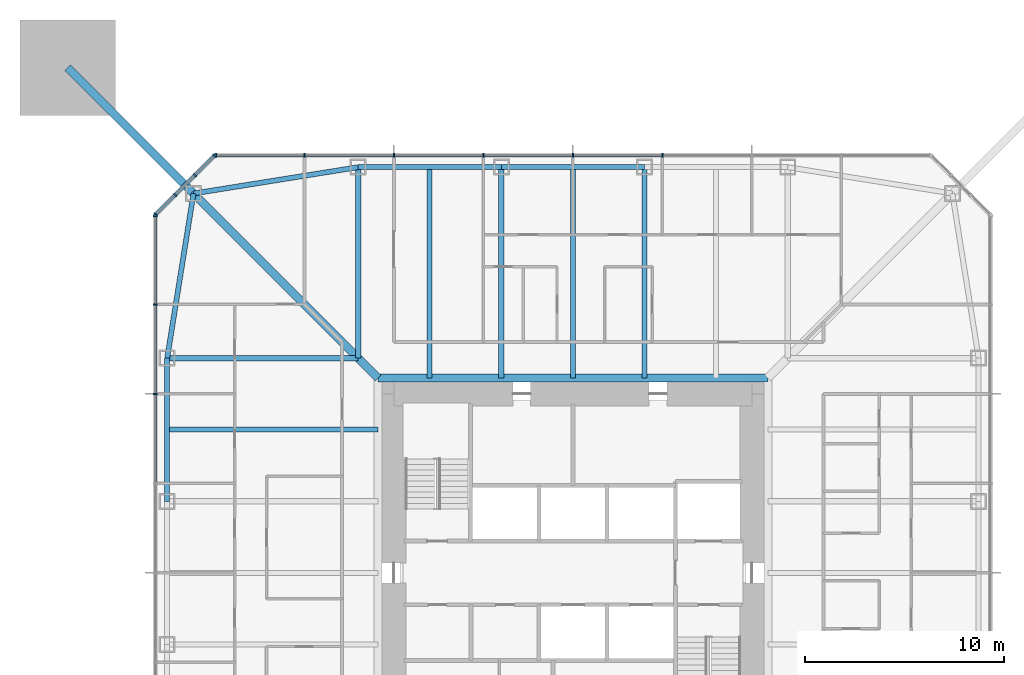
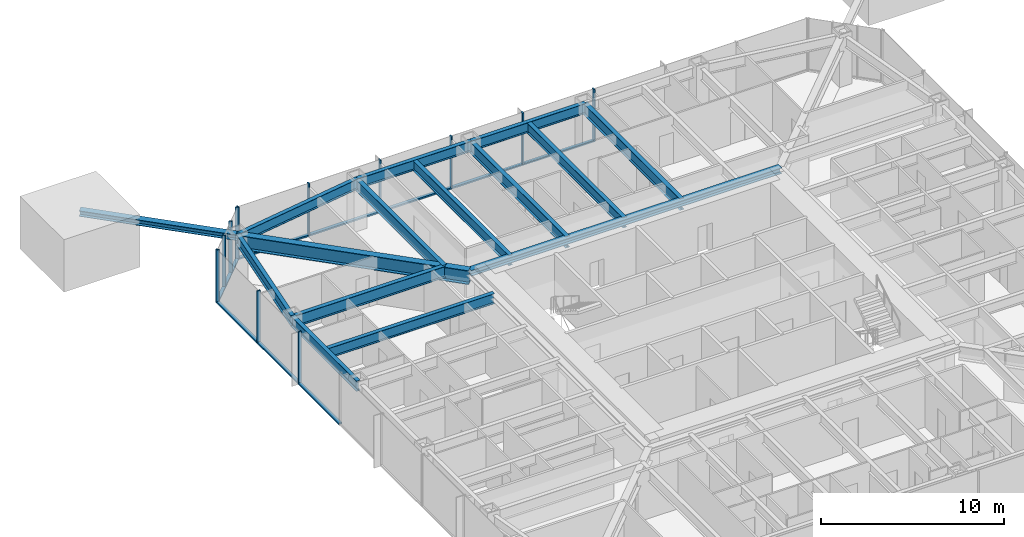
# One storey, part 6 of 25: 25 members, 14 beams, 3 elements without a shape of their own.
"""IFC4 building model written with IfcOpenShell, lengths in metres."""

from ifc_helpers import new_model, si_unit, direction, frame, origin, origin_2d, place, context, subcontext, project, spatial, rectangle, i_section, extrude, material, material_profile, profile_set, type_object, element, aggregate, save


model = new_model("IFC4")

# Units and contexts
model_context = context("Model", 3, precision=1e-05, world=origin(), true_north=direction((0.0, 1.0)))
body_context = subcontext(model_context, "Body", "Model", "MODEL_VIEW")
ifc_project = project(units=[si_unit("LENGTHUNIT", "METRE"), si_unit("AREAUNIT", "SQUARE_METRE"), si_unit("VOLUMEUNIT", "CUBIC_METRE"), si_unit("PLANEANGLEUNIT", "RADIAN"), si_unit("MASSUNIT", "GRAM", prefix="KILO")], contexts=[model_context])

# Site, building, storey
site_placement = place(None, origin())
site = spatial("IfcSite", under=ifc_project, at=site_placement, CompositionType="ELEMENT")
building_placement = place(site_placement, origin())
building = spatial("IfcBuilding", under=site, at=building_placement, Name="Iwan Alto Co-Living Towers", CompositionType="ELEMENT")
storey_placement = place(building_placement, frame((0.0, 0.0, 101.5)))
storey = spatial("IfcBuildingStorey", under=building, at=storey_placement, Name="L27", CompositionType="ELEMENT", Elevation=101.5)

# Curtain wall, members
ifc_material_1 = material(Name="Bronze aluminium unitised frame", Category="aluminium")
curtain_wall_type_1 = type_object("IfcCurtainWallType", Name="CURTAIN WALL CW-A", PredefinedType="NOTDEFINED", material=ifc_material_1)
curtain_wall_1_placement = place(storey_placement, origin())
curtain_wall_1 = element("IfcCurtainWall", 1, at=curtain_wall_1_placement, inside=storey, type_object=curtain_wall_type_1, Name="T1 curtain wall N L27", PredefinedType="NOTDEFINED")
ifc_material_2 = material(Name="Aluminium 6063-T6 bronze anodised", Category="aluminium")
ifc_material_profile_1 = material_profile(ifc_material_2, rectangle(XDim=0.199951171875, YDim=0.080078125, at=origin_2d()), Name="AL 80X200")
ifc_profile_set_1 = profile_set([ifc_material_profile_1], Name="Aluminium 6063-T6 bronze anodised")
member_type_1 = type_object("IfcMemberType", Name="CW-A MULLION 80X200", PredefinedType="MULLION", material=ifc_profile_set_1)
member_1_placement = place(storey_placement, frame((4.5, 21.0, 0.0), z_axis=(0.0, 0.0, 1.0), x_axis=(0.0, -1.0, 0.0)))
member_1 = element("IfcMember", 2, at=member_1_placement, type_object=member_type_1, Name="CW-A mullion 4", PredefinedType="MULLION", context=body_context, shape_type="SweptSolid", body=[
    extrude(rectangle(XDim=0.199951171875, YDim=0.080078125, at=origin_2d()), origin(), (0.0, 0.0, 1.0), 3.5),
])
member_2_placement = place(storey_placement, frame((0.0, 21.0, 0.0), z_axis=(0.0, 0.0, 1.0), x_axis=(0.0, -1.0, 0.0)))
member_2 = element("IfcMember", 3, at=member_2_placement, type_object=member_type_1, Name="CW-A mullion 5", PredefinedType="MULLION", context=body_context, shape_type="SweptSolid", body=[
    extrude(rectangle(XDim=0.199951171875, YDim=0.080078125, at=origin_2d()), origin(), (0.0, 0.0, 1.0), 3.5),
])
member_3_placement = place(storey_placement, frame((-4.5, 21.0, 0.0), z_axis=(0.0, 0.0, 1.0), x_axis=(0.0, -1.0, 0.0)))
member_3 = element("IfcMember", 4, at=member_3_placement, type_object=member_type_1, Name="CW-A mullion 6", PredefinedType="MULLION", context=body_context, shape_type="SweptSolid", body=[
    extrude(rectangle(XDim=0.199951171875, YDim=0.080078125, at=origin_2d()), origin(), (0.0, 0.0, 1.0), 3.5),
])
member_4_placement = place(storey_placement, frame((-9.0, 21.0, 0.0), z_axis=(0.0, 0.0, 1.0), x_axis=(0.0, -1.0, 0.0)))
member_4 = element("IfcMember", 5, at=member_4_placement, type_object=member_type_1, Name="CW-A mullion 7", PredefinedType="MULLION", context=body_context, shape_type="SweptSolid", body=[
    extrude(rectangle(XDim=0.199951171875, YDim=0.080078125, at=origin_2d()), origin(), (0.0, 0.0, 1.0), 3.5),
])
member_5_placement = place(storey_placement, frame((-13.5, 21.0, 0.0), z_axis=(0.0, 0.0, 1.0), x_axis=(0.0, -1.0, 0.0)))
member_5 = element("IfcMember", 6, at=member_5_placement, type_object=member_type_1, Name="CW-A mullion 8", PredefinedType="MULLION", context=body_context, shape_type="SweptSolid", body=[
    extrude(rectangle(XDim=0.199951171875, YDim=0.080078125, at=origin_2d()), origin(), (0.0, 0.0, 1.0), 3.5),
])
member_6_placement = place(storey_placement, frame((-17.9599609375, 21.0, 0.0), z_axis=(0.0, 0.0, 1.0), x_axis=(0.0, -1.0, 0.0)))
member_6 = element("IfcMember", 7, at=member_6_placement, type_object=member_type_1, Name="CW-A mullion 9", PredefinedType="MULLION", context=body_context, shape_type="SweptSolid", body=[
    extrude(rectangle(XDim=0.199951171875, YDim=0.080078125, at=origin_2d()), origin(), (0.0, 0.0, 1.0), 3.5),
])

curtain_wall_2_placement = place(storey_placement, origin())
curtain_wall_2 = element("IfcCurtainWall", 8, at=curtain_wall_2_placement, inside=storey, type_object=curtain_wall_type_1, Name="T1 curtain wall W L27", PredefinedType="NOTDEFINED")
member_7_placement = place(storey_placement, frame((-21.0, 17.9599609375, 0.0), z_axis=(0.0, 0.0, 1.0), x_axis=(1.0, 0.0, 0.0)))
member_7 = element("IfcMember", 9, at=member_7_placement, type_object=member_type_1, Name="CW-A mullion 1", PredefinedType="MULLION", context=body_context, shape_type="SweptSolid", body=[
    extrude(rectangle(XDim=0.199951171875, YDim=0.080078125, at=origin_2d()), origin(), (0.0, 0.0, 1.0), 3.5),
])
member_8_placement = place(storey_placement, frame((-21.0, 13.5, 0.0), z_axis=(0.0, 0.0, 1.0), x_axis=(1.0, 0.0, 0.0)))
member_8 = element("IfcMember", 10, at=member_8_placement, type_object=member_type_1, Name="CW-A mullion 2", PredefinedType="MULLION", context=body_context, shape_type="SweptSolid", body=[
    extrude(rectangle(XDim=0.199951171875, YDim=0.080078125, at=origin_2d()), origin(), (0.0, 0.0, 1.0), 3.5),
])
member_9_placement = place(storey_placement, frame((-21.0, 9.0, 0.0), z_axis=(0.0, 0.0, 1.0), x_axis=(1.0, 0.0, 0.0)))
member_9 = element("IfcMember", 11, at=member_9_placement, type_object=member_type_1, Name="CW-A mullion 3", PredefinedType="MULLION", context=body_context, shape_type="SweptSolid", body=[
    extrude(rectangle(XDim=0.199951171875, YDim=0.080078125, at=origin_2d()), origin(), (0.0, 0.0, 1.0), 3.5),
])

# Member
ifc_material_3 = material(Name="Aluminium 6063-T6 bronze anodised", Category="aluminium")
ifc_material_profile_2 = material_profile(ifc_material_3, rectangle(XDim=0.199951171875, YDim=0.10009765625, at=origin_2d()), Name="AL 200X100")
ifc_profile_set_2 = profile_set([ifc_material_profile_2], Name="Aluminium 6063-T6 bronze anodised")
member_type_2 = type_object("IfcMemberType", Name="CW-A TRANSOM 200X100", PredefinedType="USERDEFINED", material=ifc_profile_set_2)
member_10_placement = place(storey_placement, frame((4.4599609375, 21.0, 0.050048828125), z_axis=(-1.0, 0.0, 0.0), x_axis=(0.0, -1.0, 0.0)))
member_10 = element("IfcMember", 12, at=member_10_placement, type_object=member_type_2, Name="CW-A transom 4.1", ObjectType="TRANSOM", PredefinedType="USERDEFINED", context=body_context, shape_type="SweptSolid", body=[
    extrude(rectangle(XDim=0.199951171875, YDim=0.10009765625, at=origin_2d()), origin(), (0.0, 0.0, 1.0), 4.419921875),
])

member_11_placement = place(storey_placement, frame((-0.0400390625, 21.0, 0.050048828125), z_axis=(-1.0, 0.0, 0.0), x_axis=(0.0, -1.0, 0.0)))
member_11 = element("IfcMember", 13, at=member_11_placement, type_object=member_type_2, Name="CW-A transom 5.1", ObjectType="TRANSOM", PredefinedType="USERDEFINED", context=body_context, shape_type="SweptSolid", body=[
    extrude(rectangle(XDim=0.199951171875, YDim=0.10009765625, at=origin_2d()), origin(), (0.0, 0.0, 1.0), 4.419921875),
])

member_12_placement = place(storey_placement, frame((-4.5400390625, 21.0, 0.050048828125), z_axis=(-1.0, 0.0, 0.0), x_axis=(0.0, -1.0, 0.0)))
member_12 = element("IfcMember", 14, at=member_12_placement, type_object=member_type_2, Name="CW-A transom 6.1", ObjectType="TRANSOM", PredefinedType="USERDEFINED", context=body_context, shape_type="SweptSolid", body=[
    extrude(rectangle(XDim=0.199951171875, YDim=0.10009765625, at=origin_2d()), origin(), (0.0, 0.0, 1.0), 4.419921875),
])

member_13_placement = place(storey_placement, frame((-9.0400390625, 21.0, 0.050048828125), z_axis=(-1.0, 0.0, 0.0), x_axis=(0.0, -1.0, 0.0)))
member_13 = element("IfcMember", 15, at=member_13_placement, type_object=member_type_2, Name="CW-A transom 7.1", ObjectType="TRANSOM", PredefinedType="USERDEFINED", context=body_context, shape_type="SweptSolid", body=[
    extrude(rectangle(XDim=0.199951171875, YDim=0.10009765625, at=origin_2d()), origin(), (0.0, 0.0, 1.0), 4.419921875),
])

member_14_placement = place(storey_placement, frame((-13.5400390625, 21.0, 0.050048828125), z_axis=(-1.0, 0.0, 0.0), x_axis=(0.0, -1.0, 0.0)))
member_14 = element("IfcMember", 16, at=member_14_placement, type_object=member_type_2, Name="CW-A transom 8.1", ObjectType="TRANSOM", PredefinedType="USERDEFINED", context=body_context, shape_type="SweptSolid", body=[
    extrude(rectangle(XDim=0.199951171875, YDim=0.10009765625, at=origin_2d()), origin(), (0.0, 0.0, 1.0), 4.3798828125),
])

aggregate(curtain_wall_1, [member_1, member_2, member_3, member_4, member_5, member_6, member_10, member_11, member_12, member_13, member_14])

member_15_placement = place(storey_placement, frame((-21.0, 17.919921875, 0.050048828125), z_axis=(0.0, -1.0, 0.0), x_axis=(1.0, 0.0, 0.0)))
member_15 = element("IfcMember", 17, at=member_15_placement, type_object=member_type_2, Name="CW-A transom 1.1", ObjectType="TRANSOM", PredefinedType="USERDEFINED", context=body_context, shape_type="SweptSolid", body=[
    extrude(rectangle(XDim=0.199951171875, YDim=0.10009765625, at=origin_2d()), origin(), (0.0, 0.0, 1.0), 4.3798828125),
])

member_16_placement = place(storey_placement, frame((-21.0, 13.4599609375, 0.050048828125), z_axis=(0.0, -1.0, 0.0), x_axis=(1.0, 0.0, 0.0)))
member_16 = element("IfcMember", 18, at=member_16_placement, type_object=member_type_2, Name="CW-A transom 2.1", ObjectType="TRANSOM", PredefinedType="USERDEFINED", context=body_context, shape_type="SweptSolid", body=[
    extrude(rectangle(XDim=0.199951171875, YDim=0.10009765625, at=origin_2d()), origin(), (0.0, 0.0, 1.0), 4.419921875),
])

member_17_placement = place(storey_placement, frame((-21.0, 8.9599609375, 0.050048828125), z_axis=(0.0, -1.0, 0.0), x_axis=(1.0, 0.0, 0.0)))
member_17 = element("IfcMember", 19, at=member_17_placement, type_object=member_type_2, Name="CW-A transom 3.1", ObjectType="TRANSOM", PredefinedType="USERDEFINED", context=body_context, shape_type="SweptSolid", body=[
    extrude(rectangle(XDim=0.199951171875, YDim=0.10009765625, at=origin_2d()), origin(), (0.0, 0.0, 1.0), 4.419921875),
])

aggregate(curtain_wall_2, [member_7, member_8, member_9, member_15, member_16, member_17])

# Curtain wall, members
ifc_material_4 = material(Name="Bronze aluminium unitised frame", Category="aluminium")
curtain_wall_type_2 = type_object("IfcCurtainWallType", Name="CURTAIN WALL CW-B", PredefinedType="NOTDEFINED", material=ifc_material_4)
curtain_wall_3_placement = place(storey_placement, origin())
curtain_wall_3 = element("IfcCurtainWall", 20, at=curtain_wall_3_placement, inside=storey, type_object=curtain_wall_type_2, Name="T1 chamfer curtain wall NW L27", PredefinedType="NOTDEFINED")
ifc_material_5 = material(Name="Aluminium 6063-T6 bronze anodised", Category="aluminium")
ifc_material_profile_3 = material_profile(ifc_material_5, rectangle(XDim=0.199951171875, YDim=0.080078125, at=origin_2d()), Name="AL 80X200")
ifc_profile_set_3 = profile_set([ifc_material_profile_3], Name="Aluminium 6063-T6 bronze anodised")
member_type_3 = type_object("IfcMemberType", Name="CW-B MULLION 80X200", PredefinedType="MULLION", material=ifc_profile_set_3)
member_18_placement = place(storey_placement, frame((-18.0283203125, 20.9716796875, 0.0), z_axis=(0.0, 0.0, 1.0), x_axis=(0.707106781187, -0.707106781187, 0.0)))
member_18 = element("IfcMember", 21, at=member_18_placement, type_object=member_type_3, Name="CW-B mullion 1", PredefinedType="MULLION", context=body_context, shape_type="SweptSolid", body=[
    extrude(rectangle(XDim=0.199951171875, YDim=0.080078125, at=origin_2d()), origin(), (0.0, 0.0, 1.0), 3.5),
])
member_19_placement = place(storey_placement, frame((-19.0, 20.0, 0.0), z_axis=(0.0, 0.0, 1.0), x_axis=(0.707106781187, -0.707106781187, 0.0)))
member_19 = element("IfcMember", 22, at=member_19_placement, type_object=member_type_3, Name="CW-B mullion 2", PredefinedType="MULLION", context=body_context, shape_type="SweptSolid", body=[
    extrude(rectangle(XDim=0.199951171875, YDim=0.080078125, at=origin_2d()), origin(), (0.0, 0.0, 1.0), 3.5),
])
member_20_placement = place(storey_placement, frame((-20.0, 19.0, 0.0), z_axis=(0.0, 0.0, 1.0), x_axis=(0.707106781187, -0.707106781187, 0.0)))
member_20 = element("IfcMember", 23, at=member_20_placement, type_object=member_type_3, Name="CW-B mullion 3", PredefinedType="MULLION", context=body_context, shape_type="SweptSolid", body=[
    extrude(rectangle(XDim=0.199951171875, YDim=0.080078125, at=origin_2d()), origin(), (0.0, 0.0, 1.0), 3.5),
])
member_21_placement = place(storey_placement, frame((-20.9716796875, 18.0283203125, 0.0), z_axis=(0.0, 0.0, 1.0), x_axis=(0.707106781187, -0.707106781187, 0.0)))
member_21 = element("IfcMember", 24, at=member_21_placement, type_object=member_type_3, Name="CW-B mullion 4", PredefinedType="MULLION", context=body_context, shape_type="SweptSolid", body=[
    extrude(rectangle(XDim=0.199951171875, YDim=0.080078125, at=origin_2d()), origin(), (0.0, 0.0, 1.0), 3.5),
])
ifc_material_6 = material(Name="Aluminium 6063-T6 bronze anodised", Category="aluminium")
ifc_material_profile_4 = material_profile(ifc_material_6, rectangle(XDim=0.199951171875, YDim=0.10009765625, at=origin_2d()), Name="AL 200X100")
ifc_profile_set_4 = profile_set([ifc_material_profile_4], Name="Aluminium 6063-T6 bronze anodised")
member_type_4 = type_object("IfcMemberType", Name="CW-B TRANSOM 200X100", PredefinedType="USERDEFINED", material=ifc_profile_set_4)
member_22_placement = place(storey_placement, frame((-18.056640625, 20.943359375, 0.050048828125), z_axis=(-0.707106781187, -0.707106781187, 0.0), x_axis=(0.707106781187, -0.707106781187, 0.0)))
member_22 = element("IfcMember", 25, at=member_22_placement, type_object=member_type_4, Name="CW-B transom 1.1", ObjectType="TRANSOM", PredefinedType="USERDEFINED", context=body_context, shape_type="SweptSolid", body=[
    extrude(rectangle(XDim=0.199951171875, YDim=0.10009765625, at=origin_2d()), origin(), (0.0, 0.0, 1.0), 1.2939453125),
])
member_23_placement = place(storey_placement, frame((-19.0283203125, 19.9716796875, 0.050048828125), z_axis=(-0.707106781187, -0.707106781187, 0.0), x_axis=(0.707106781187, -0.707106781187, 0.0)))
member_23 = element("IfcMember", 26, at=member_23_placement, type_object=member_type_4, Name="CW-B transom 2.1", ObjectType="TRANSOM", PredefinedType="USERDEFINED", context=body_context, shape_type="SweptSolid", body=[
    extrude(rectangle(XDim=0.199951171875, YDim=0.10009765625, at=origin_2d()), origin(), (0.0, 0.0, 1.0), 1.334228515625),
])
member_24_placement = place(storey_placement, frame((-20.0283203125, 18.9716796875, 0.050048828125), z_axis=(-0.707106781187, -0.707106781187, 0.0), x_axis=(0.707106781187, -0.707106781187, 0.0)))
member_24 = element("IfcMember", 27, at=member_24_placement, type_object=member_type_4, Name="CW-B transom 3.1", ObjectType="TRANSOM", PredefinedType="USERDEFINED", context=body_context, shape_type="SweptSolid", body=[
    extrude(rectangle(XDim=0.199951171875, YDim=0.10009765625, at=origin_2d()), origin(), (0.0, 0.0, 1.0), 1.2939453125),
])
aggregate(curtain_wall_3, [member_18, member_19, member_20, member_21, member_22, member_23, member_24])

# Beams
ifc_material_7 = material(Name="Steel ASTM A992 Gr 50", Category="steel")
ifc_material_profile_5 = material_profile(ifc_material_7, i_section(OverallWidth=0.398681640625, OverallDepth=0.385986328125, WebThickness=0.02099609375, FlangeThickness=0.033203125, at=origin_2d()), Name="W14X176")
ifc_profile_set_5 = profile_set([ifc_material_profile_5], Name="Steel ASTM A992 Gr 50")
beam_type_1 = type_object("IfcBeamType", Name="T1 CORE LEDGER BEAM W14X176", PredefinedType="BEAM", material=ifc_profile_set_5)
beam_1_placement = place(storey_placement, frame((9.79931640625, 9.79931640625, 3.076904296875), z_axis=(-1.0, 0.0, 0.0), x_axis=(0.0, -1.0, 0.0)))
element("IfcBeam", 28, at=beam_1_placement, inside=storey, type_object=beam_type_1, Name="T1 core ledger beam N L28", PredefinedType="BEAM", context=body_context, shape_type="SweptSolid", body=[
    extrude(i_section(OverallWidth=0.398681640625, OverallDepth=0.385986328125, WebThickness=0.02099609375, FlangeThickness=0.033203125, at=origin_2d()), origin(), (0.0, 0.0, 1.0), 19.5986328125),
])
ifc_material_8 = material(Name="Steel ASTM A992 Gr 50", Category="steel")
ifc_material_profile_6 = material_profile(ifc_material_8, i_section(OverallWidth=0.419189453125, OverallDepth=0.927001953125, WebThickness=0.019287109375, FlangeThickness=0.031982421875, at=origin_2d()), Name="W36X231")
ifc_profile_set_6 = profile_set([ifc_material_profile_6], Name="Steel ASTM A992 Gr 50")
beam_type_2 = type_object("IfcBeamType", Name="T1 CORNER GIRDER W36X231", PredefinedType="BEAM", material=ifc_profile_set_6)
beam_2_placement = place(storey_placement, frame((-19.07568359375, 19.07568359375, 2.806396484375), z_axis=(0.707106781187, -0.707106781187, 0.0), x_axis=(0.707106781187, 0.707106781187, 0.0)))
element("IfcBeam", 29, at=beam_2_placement, inside=storey, type_object=beam_type_2, Name="T1 corner girder CNW L28", PredefinedType="BEAM", context=body_context, shape_type="SweptSolid", body=[
    extrude(i_section(OverallWidth=0.419189453125, OverallDepth=0.927001953125, WebThickness=0.019287109375, FlangeThickness=0.031982421875, at=origin_2d()), origin(), (0.0, 0.0, 1.0), 13.11865234375),
])
ifc_material_9 = material(Name="Steel ASTM A992 Gr 50", Category="steel")
ifc_material_profile_7 = material_profile(ifc_material_9, i_section(OverallWidth=0.25390625, OverallDepth=0.683349609375, WebThickness=0.012451171875, FlangeThickness=0.018798828125, at=origin_2d()), Name="W27X94")
ifc_profile_set_7 = profile_set([ifc_material_profile_7], Name="Steel ASTM A992 Gr 50")
beam_type_3 = type_object("IfcBeamType", Name="T1 EDGE BEAM W27X94", PredefinedType="BEAM", material=ifc_profile_set_7)
beam_3_placement = place(storey_placement, frame((3.60009765625, 20.39990234375, 2.928466796875), z_axis=(-1.0, 0.0, 0.0), x_axis=(0.0, -1.0, 0.0)))
element("IfcBeam", 30, at=beam_3_placement, inside=storey, type_object=beam_type_3, Name="T1 edge beam N2 L28", PredefinedType="BEAM", context=body_context, shape_type="SweptSolid", body=[
    extrude(i_section(OverallWidth=0.25390625, OverallDepth=0.683349609375, WebThickness=0.012451171875, FlangeThickness=0.018798828125, at=origin_2d()), origin(), (0.0, 0.0, 1.0), 7.2001953125),
])
beam_4_placement = place(storey_placement, frame((-3.60009765625, 20.39990234375, 2.928466796875), z_axis=(-1.0, 0.0, 0.0), x_axis=(0.0, -1.0, 0.0)))
element("IfcBeam", 31, at=beam_4_placement, inside=storey, type_object=beam_type_3, Name="T1 edge beam N3 L28", PredefinedType="BEAM", context=body_context, shape_type="SweptSolid", body=[
    extrude(i_section(OverallWidth=0.25390625, OverallDepth=0.683349609375, WebThickness=0.012451171875, FlangeThickness=0.018798828125, at=origin_2d()), origin(), (0.0, 0.0, 1.0), 7.199951171875),
])
for number, where, z_axis, x_axis, name in (
    (32, (-10.800048828125, 20.39990234375, 2.928466796875), (-0.987438450439, -0.158004134737, 0.0), (0.158004134737, -0.987438450439, 0.0), "T1 edge beam N4 L28"),
    (33, (-19.07568359375, 19.07568359375, 2.928466796875), (-0.158004134737, -0.987438450439, 0.0), (0.987438450439, -0.158004134737, 0.0), "T1 edge beam CNW L28"),
):
    element("IfcBeam", number, at=place(storey_placement, frame(where, z_axis=z_axis, x_axis=x_axis)), inside=storey, type_object=beam_type_3, Name=name, PredefinedType="BEAM", context=body_context, shape_type="SweptSolid", body=[
        extrude(i_section(OverallWidth=0.25390625, OverallDepth=0.683349609375, WebThickness=0.012451171875, FlangeThickness=0.018798828125, at=origin_2d()), origin(), (0.0, 0.0, 1.0), 8.380859375),
    ])
beam_5_placement = place(storey_placement, frame((-20.39990234375, 10.800048828125, 2.928466796875), z_axis=(0.0, -1.0, 0.0), x_axis=(1.0, 0.0, 0.0)))
element("IfcBeam", 34, at=beam_5_placement, inside=storey, type_object=beam_type_3, Name="T1 edge beam W1 L28", PredefinedType="BEAM", context=body_context, shape_type="SweptSolid", body=[
    extrude(i_section(OverallWidth=0.25390625, OverallDepth=0.683349609375, WebThickness=0.012451171875, FlangeThickness=0.018798828125, at=origin_2d()), origin(), (0.0, 0.0, 1.0), 7.199951171875),
])

# Member
ifc_material_10 = material(Name="Steel ASTM A992 Gr 50", Category="steel")
ifc_material_profile_8 = material_profile(ifc_material_10, i_section(OverallWidth=0.393798828125, OverallDepth=0.3759765625, WebThickness=0.017333984375, FlangeThickness=0.027587890625, at=origin_2d()), Name="W14X145")
ifc_profile_set_8 = profile_set([ifc_material_profile_8], Name="Steel ASTM A992 Gr 50")
member_type_5 = type_object("IfcMemberType", Name="T1 MEGA COLUMN FLOOR TIE W14X145", PredefinedType="STRUT", material=ifc_profile_set_8)
member_25_placement = place(storey_placement, frame((-25.39990234375, 25.39990234375, 3.08203125), z_axis=(0.707106781187, -0.707106781187, 0.0), x_axis=(0.707106781187, 0.707106781187, 0.0)))
element("IfcMember", 35, at=member_25_placement, inside=storey, type_object=member_type_5, Name="T1 mega column floor tie NW L28", PredefinedType="STRUT", context=body_context, shape_type="SweptSolid", body=[
    extrude(i_section(OverallWidth=0.393798828125, OverallDepth=0.3759765625, WebThickness=0.017333984375, FlangeThickness=0.027587890625, at=origin_2d()), origin(), (0.0, 0.0, 1.0), 8.94384765625),
])

# Beams
ifc_material_11 = material(Name="Steel ASTM A992 Gr 50", Category="steel")
ifc_material_profile_9 = material_profile(ifc_material_11, i_section(OverallWidth=0.2666015625, OverallDepth=0.761962890625, WebThickness=0.014404296875, FlangeThickness=0.021484375, at=origin_2d()), Name="W30X116")
ifc_profile_set_9 = profile_set([ifc_material_profile_9], Name="Steel ASTM A992 Gr 50")
beam_type_4 = type_object("IfcBeamType", Name="T1 RADIAL BEAM W30X116", PredefinedType="BEAM", material=ifc_profile_set_9)
for number, where, z_axis, x_axis, name in (
    (36, (3.60009765625, 20.39990234375, 2.888916015625), (0.0, -1.0, 0.0), (1.0, 0.0, 0.0), "T1 radial beam N2 L28"),
    (37, (-3.60009765625, 20.39990234375, 2.888916015625), (0.0, -1.0, 0.0), (1.0, 0.0, 0.0), "T1 radial beam N3 L28"),
):
    element("IfcBeam", number, at=place(storey_placement, frame(where, z_axis=z_axis, x_axis=x_axis)), inside=storey, type_object=beam_type_4, Name=name, PredefinedType="BEAM", context=body_context, shape_type="SweptSolid", body=[
        extrude(i_section(OverallWidth=0.2666015625, OverallDepth=0.761962890625, WebThickness=0.014404296875, FlangeThickness=0.021484375, at=origin_2d()), origin(), (0.0, 0.0, 1.0), 10.6005859375),
    ])
for number, where, z_axis, x_axis, name in (
    (38, (-10.800048828125, 20.39990234375, 2.888916015625), (0.0, -1.0, 0.0), (1.0, 0.0, 0.0), "T1 radial beam N4 L28"),
    (39, (-20.39990234375, 10.800048828125, 2.888916015625), (1.0, 0.0, 0.0), (0.0, 1.0, 0.0), "T1 radial beam W1 L28"),
):
    element("IfcBeam", number, at=place(storey_placement, frame(where, z_axis=z_axis, x_axis=x_axis)), inside=storey, type_object=beam_type_4, Name=name, PredefinedType="BEAM", context=body_context, shape_type="SweptSolid", body=[
        extrude(i_section(OverallWidth=0.2666015625, OverallDepth=0.761962890625, WebThickness=0.014404296875, FlangeThickness=0.021484375, at=origin_2d()), origin(), (0.0, 0.0, 1.0), 9.599853515625),
    ])
ifc_material_12 = material(Name="Steel ASTM A992 Gr 50", Category="steel")
ifc_material_profile_10 = material_profile(ifc_material_12, i_section(OverallWidth=0.25390625, OverallDepth=0.683349609375, WebThickness=0.012451171875, FlangeThickness=0.018798828125, at=origin_2d()), Name="W27X94")
ifc_profile_set_10 = profile_set([ifc_material_profile_10], Name="Steel ASTM A992 Gr 50")
beam_type_5 = type_object("IfcBeamType", Name="T1 SECONDARY BEAM W27X94", PredefinedType="JOIST", material=ifc_profile_set_10)
for number, where, z_axis, x_axis, name in (
    (40, (0.0, 20.39990234375, 2.928466796875), (0.0, -1.0, 0.0), (1.0, 0.0, 0.0), "T1 secondary beam N2 L28"),
    (41, (-7.199951171875, 20.39990234375, 2.928466796875), (0.0, -1.0, 0.0), (1.0, 0.0, 0.0), "T1 secondary beam N3 L28"),
    (42, (-20.39990234375, 7.199951171875, 2.928466796875), (1.0, 0.0, 0.0), (0.0, 1.0, 0.0), "T1 secondary beam W1 L28"),
):
    element("IfcBeam", number, at=place(storey_placement, frame(where, z_axis=z_axis, x_axis=x_axis)), inside=storey, type_object=beam_type_5, Name=name, PredefinedType="JOIST", context=body_context, shape_type="SweptSolid", body=[
        extrude(i_section(OverallWidth=0.25390625, OverallDepth=0.683349609375, WebThickness=0.012451171875, FlangeThickness=0.018798828125, at=origin_2d()), origin(), (0.0, 0.0, 1.0), 10.6005859375),
    ])

save(model, "model.ifc")
